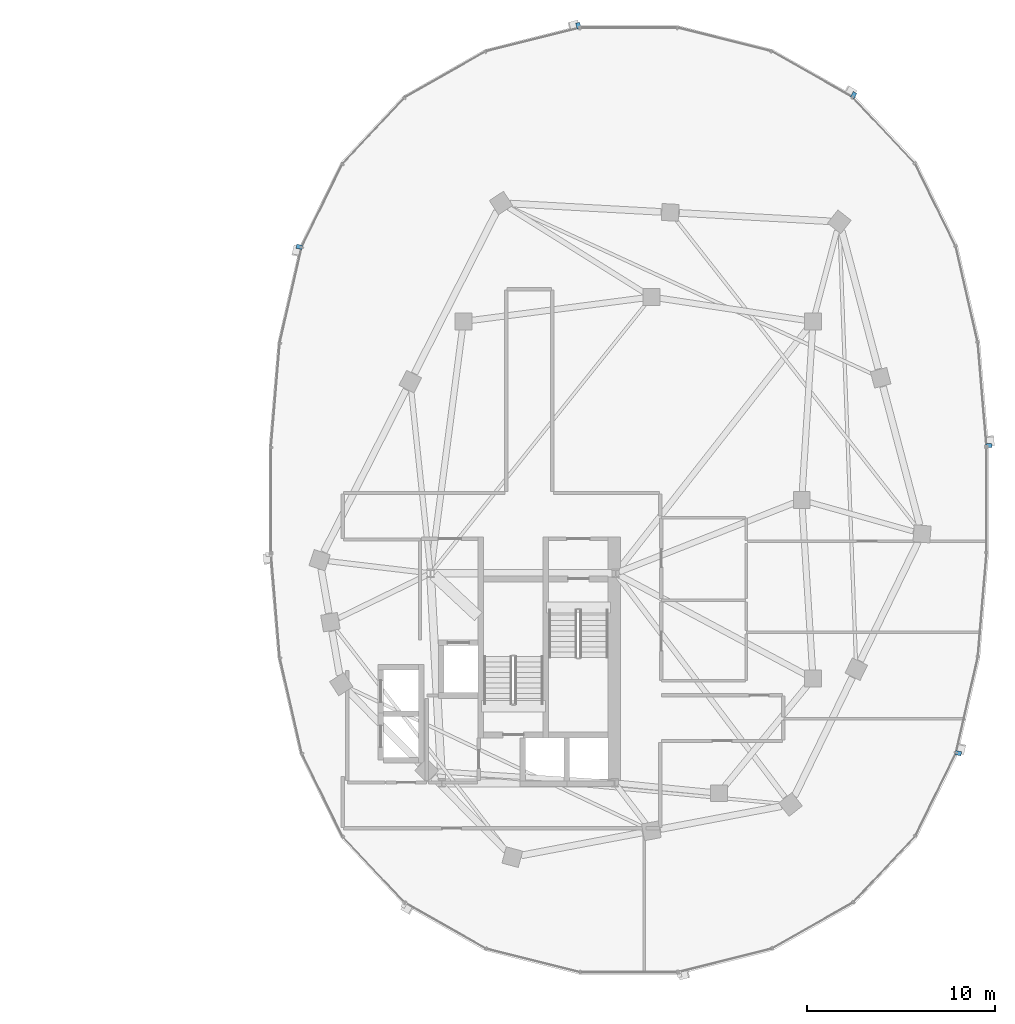
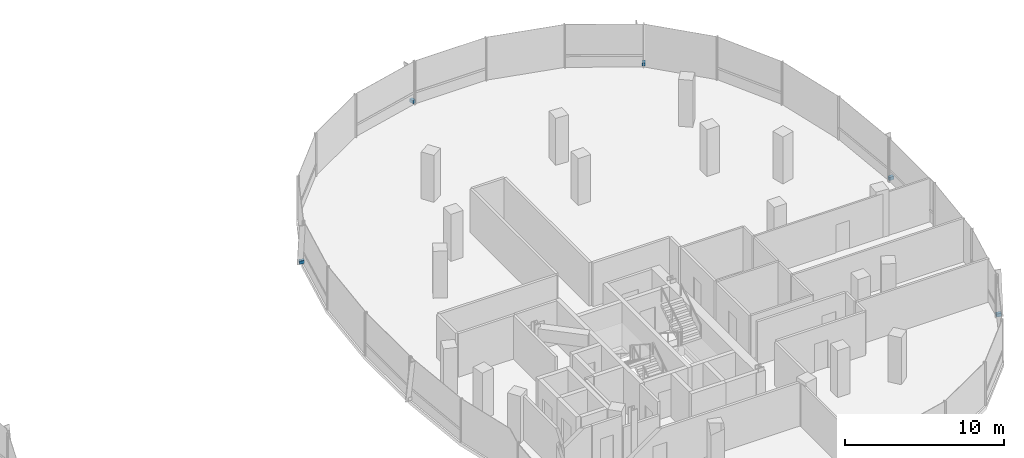
# One storey, part 20 of 25: 5 discrete accessories.
"""IFC4 building model written with IfcOpenShell, lengths in metres."""

from ifc_helpers import new_model, si_unit, direction, frame, origin, origin_2d, place, context, subcontext, project, spatial, rectangle, extrude, material, type_object, element, save


model = new_model("IFC4")

# Units and contexts
model_context = context("Model", 3, precision=1e-05, world=origin(), true_north=direction((0.0, 1.0)))
body_context = subcontext(model_context, "Body", "Model", "MODEL_VIEW")
ifc_project = project(units=[si_unit("LENGTHUNIT", "METRE"), si_unit("AREAUNIT", "SQUARE_METRE"), si_unit("VOLUMEUNIT", "CUBIC_METRE"), si_unit("PLANEANGLEUNIT", "RADIAN"), si_unit("MASSUNIT", "GRAM", prefix="KILO"), si_unit("THERMODYNAMICTEMPERATUREUNIT", "KELVIN"), si_unit("POWERUNIT", "WATT")], contexts=[model_context])

# Site, building, storey
site_placement = place(None, origin())
site = spatial("IfcSite", under=ifc_project, at=site_placement, CompositionType="ELEMENT")
building_placement = place(site_placement, origin())
building = spatial("IfcBuilding", under=site, at=building_placement, Name="Cundina Bronze Exchange", CompositionType="ELEMENT")
storey_placement = place(building_placement, frame((0.0, 0.0, 191.800048828125)))
storey = spatial("IfcBuildingStorey", under=building, at=storey_placement, Name="L50", CompositionType="ELEMENT", Elevation=191.800048828125)

# Discrete accessories
ifc_material = material(Name="Anodised Bronze Aluminium 6063-T6", Category="aluminium")
discrete_accessory_type = type_object("IfcDiscreteAccessoryType", Name="ACC-BRK-FIN", PredefinedType="BRACKET", material=ifc_material)
for number, where, z_axis, x_axis, name in (
    (1, (51.15478515625, 2.893798828125, 0.10009765625), (0.0, 0.0, 1.0), (-0.083747411454, 0.996487015006, 0.0), "L50 Fin Support Bracket 1"),
    (2, (43.961181640625, 21.539794921875, 0.10009765625), (0.0, 0.0, 1.0), (-0.869572506985, 0.493805280547, 0.0), "L50 Fin Support Bracket 5"),
    (3, (29.321044921875, 25.23779296875, 0.10009765625), (0.0, 0.0, 1.0), (-0.969731542251, -0.244173577528, 0.0), "L50 Fin Support Bracket 1"),
    (4, (14.470458984375, 13.468505859375, 0.10009765625), (0.0, 0.0, 1.0), (-0.223284141459, -0.974753400698, 0.0), "L50 Fin Support Bracket 5"),
    (5, (49.529541015625, -13.468505859375, 0.10009765625), (0.0, 0.0, 1.0), (0.223284141459, 0.974753400698, 0.0), "L50 Fin Support Bracket 5"),
):
    element("IfcDiscreteAccessory", number, at=place(storey_placement, frame(where, z_axis=z_axis, x_axis=x_axis)), inside=storey, type_object=discrete_accessory_type, Name=name, PredefinedType="BRACKET", context=body_context, shape_type="SweptSolid", body=[
        extrude(rectangle(XDim=0.219970703125, YDim=0.320068359375, at=origin_2d()), origin(), (0.0, 0.0, 1.0), 0.239990234375),
    ])

save(model, "model.ifc")
